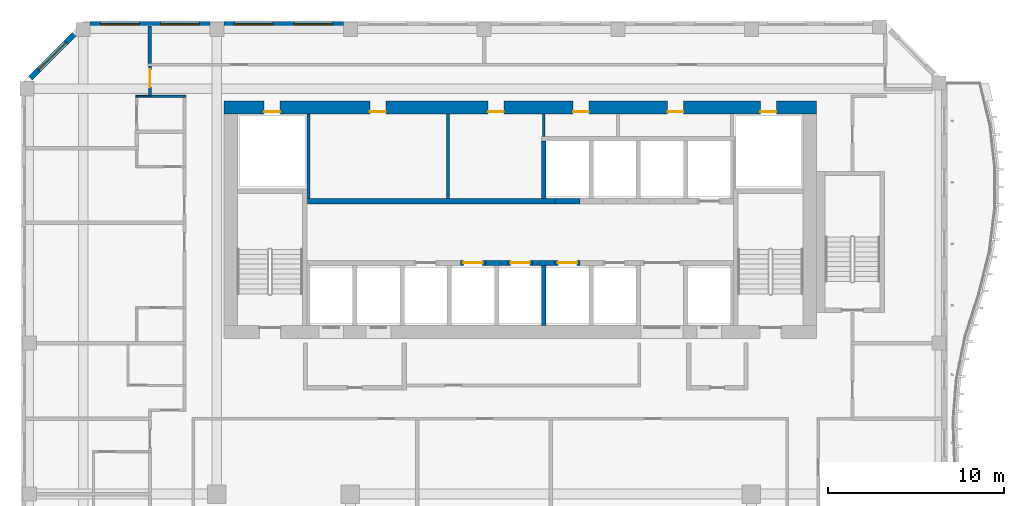
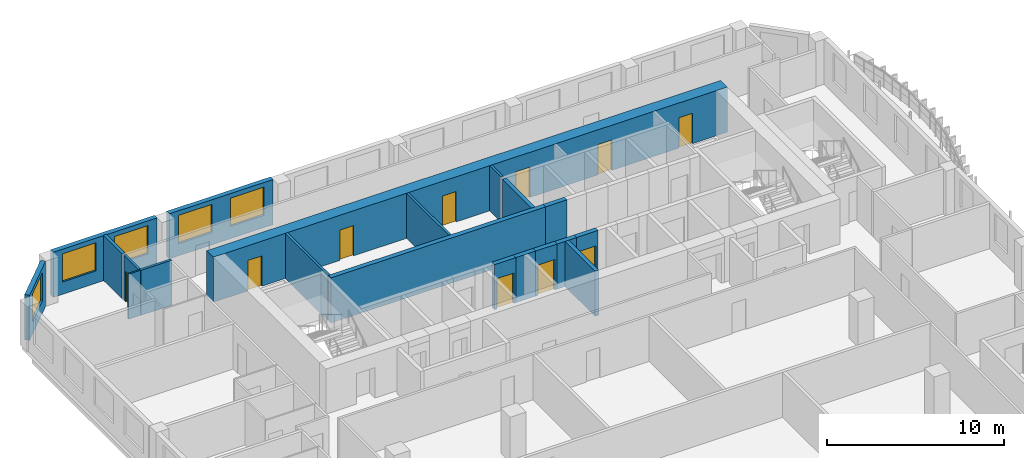
# One storey, part 8 of 22: 20 walls, 10 doors, 5 windows, 15 openings.
"""IFC4 building model written with IfcOpenShell, lengths in metres."""

from ifc_helpers import new_model, si_unit, direction, frame, frame_2d, origin, place, context, subcontext, project, spatial, rectangle, extrude, source, transform, mapped, material, layer, layer_set, type_object, element, fill, save


model = new_model("IFC4")

# Units and contexts
model_context = context("Model", 3, precision=1e-05, world=origin(), true_north=direction((0.0, 1.0)))
body_context = subcontext(model_context, "Body", "Model", "MODEL_VIEW")
ifc_project = project(units=[si_unit("LENGTHUNIT", "METRE"), si_unit("AREAUNIT", "SQUARE_METRE"), si_unit("VOLUMEUNIT", "CUBIC_METRE"), si_unit("PLANEANGLEUNIT", "RADIAN"), si_unit("MASSUNIT", "GRAM", prefix="KILO")], contexts=[model_context])

# Site, building, storey
site_placement = place(None, origin())
site = spatial("IfcSite", under=ifc_project, at=site_placement, CompositionType="ELEMENT")
building_placement = place(site_placement, origin())
building = spatial("IfcBuilding", under=site, at=building_placement, Name="Kilnfold Tower and Market Hall", CompositionType="ELEMENT")
storey_placement = place(building_placement, frame((0.0, 0.0, 188.89990234375)))
storey = spatial("IfcBuildingStorey", under=building, at=storey_placement, Name="L45", CompositionType="ELEMENT", Elevation=188.89990234375)

# Wall, opening, door
ifc_material_1 = material(Name="Gypsum board on steel studs", Category="steel")
ifc_layer_1 = layer(ifc_material_1, 0.14990234375)
ifc_layer_set_1 = layer_set([ifc_layer_1], Name="Gypsum board on steel studs")
wall_type_1 = type_object("IfcWallType", Name="WALL CORRIDOR 150", PredefinedType="PARTITIONING", material=ifc_layer_set_1)
wall_1_placement = place(storey_placement, frame((-19.958984375, 22.074951171875, 0.0), z_axis=(0.0, 0.0, 1.0), x_axis=(0.0, 1.0, 0.0)))
wall_1 = element("IfcWall", 1, at=wall_1_placement, inside=storey, type_object=wall_type_1, Name="Partition LY28.26", PredefinedType="PARTITIONING", context=body_context, shape_type="SweptSolid", body=[
    extrude(rectangle(XDim=1.650146484375, YDim=0.14990234375, at=frame_2d((0.8251953125, 0.0))), origin(), (0.0, 0.0, 1.0), 3.1201171875),
])
opening_1_placement = place(wall_1_placement, frame((0.449951171875, 0.0, 0.0)))
opening_1 = element("IfcOpeningElement", 2, at=opening_1_placement, cuts=wall_1, Name="Opening D1", PredefinedType="OPENING", context=body_context, shape_type="SweptSolid", body=[
    extrude(rectangle(XDim=1.0, YDim=2.10009765625, at=frame_2d((0.5, 1.050048828125))), frame((0.0, 0.0849609375, 0.0), z_axis=(0.0, -1.0, 0.0), x_axis=(1.0, 0.0, 0.0)), (0.0, 0.0, 1.0), 0.169921875),
])
ifc_material_2 = material(Name="Timber veneer door leaf in steel frame", Category="steel")
door_type_1 = type_object("IfcDoorType", Name="DOOR ENTRY 1000 X2100", OperationType="NOTDEFINED", PredefinedType="DOOR", material=ifc_material_2)
door_1_placement = place(opening_1_placement, origin())
door_1 = element("IfcDoor", 3, at=door_1_placement, inside=storey, type_object=door_type_1, Name="Door D1", OperationType="SINGLE_SWING_LEFT", OverallHeight=2.10009765625, OverallWidth=1.0, PredefinedType="DOOR", context=body_context, shape_type="SweptSolid", body=[
    extrude(rectangle(XDim=1.0, YDim=2.10009765625, at=frame_2d((0.5, 1.050048828125))), frame((0.0, 0.02490234375, 0.0), z_axis=(0.0, -1.0, 0.0), x_axis=(1.0, 0.0, 0.0)), (0.0, 0.0, 1.0), 0.050048828125),
])
fill(opening_1, door_1)

# Walls
wall_2_placement = place(storey_placement, frame((-19.958984375, 22.0, 0.0), z_axis=(0.0, 0.0, 1.0), x_axis=(1.0, 0.0, 0.0)))
element("IfcWall", 4, at=wall_2_placement, inside=storey, type_object=wall_type_1, Name="Partition LY28.28", PredefinedType="PARTITIONING", context=body_context, shape_type="SweptSolid", body=[
    extrude(rectangle(XDim=2.033935546875, YDim=0.14990234375, at=frame_2d((1.01708984375, 0.0))), origin(), (0.0, 0.0, 1.0), 3.1201171875),
])
ifc_material_3 = material(Name="Gypsum board on steel studs", Category="steel")
ifc_layer_2 = layer(ifc_material_3, 0.10009765625)
ifc_layer_set_2 = layer_set([ifc_layer_2], Name="Gypsum board on steel studs")
wall_type_2 = type_object("IfcWallType", Name="WALL PARTITION 100", PredefinedType="PARTITIONING", material=ifc_layer_set_2)
wall_3_placement = place(storey_placement, frame((-20.751953125, 22.0, 0.0), z_axis=(0.0, 0.0, 1.0), x_axis=(1.0, 0.0, 0.0)))
element("IfcWall", 5, at=wall_3_placement, inside=storey, type_object=wall_type_2, Name="Partition LY28.112", PredefinedType="PARTITIONING", context=body_context, shape_type="SweptSolid", body=[
    extrude(rectangle(XDim=0.791015625, YDim=0.10009765625, at=frame_2d((0.3955078125, 0.0))), origin(), (0.0, 0.0, 1.0), 3.1201171875),
])
ifc_material_4 = material(Name="Gypsum board on steel studs", Category="steel")
ifc_layer_3 = layer(ifc_material_4, 0.199951171875)
ifc_layer_set_3 = layer_set([ifc_layer_3], Name="Gypsum board on steel studs")
wall_type_3 = type_object("IfcWallType", Name="WALL PARTY 200", PredefinedType="PARTITIONING", material=ifc_layer_set_3)
wall_4_placement = place(storey_placement, frame((-19.958984375, 23.876953125, 0.0), z_axis=(0.0, 0.0, 1.0), x_axis=(0.0, 1.0, 0.0)))
element("IfcWall", 6, at=wall_4_placement, inside=storey, type_object=wall_type_3, Name="Partition LY28.114", PredefinedType="PARTITIONING", context=body_context, shape_type="SweptSolid", body=[
    extrude(rectangle(XDim=2.123046875, YDim=0.199951171875, at=frame_2d((1.0615234375, 0.0))), origin(), (0.0, 0.0, 1.0), 3.1201171875),
])
ifc_material_5 = material(Name="Concrete C60", Category="concrete")
ifc_layer_4 = layer(ifc_material_5, 0.300048828125)
ifc_layer_set_4 = layer_set([ifc_layer_4], Name="Concrete C60")
wall_type_4 = type_object("IfcWallType", Name="CORE WALL 300 C60", PredefinedType="SHEAR", material=ifc_layer_set_4)
shared_shape_1 = source(origin(), body_context, "Body", "SweptSolid", [
    extrude(rectangle(XDim=1.280029296875, YDim=0.300048828125, at=frame_2d((0.64013671875, 0.0))), origin(), (0.0, 0.0, 1.0), 3.1201171875),
])
for number, where, z_axis, x_axis, name in (
    (7, (-0.929931640625, 12.550048828125, 0.0), (0.0, 0.0, 1.0), (1.0, 0.0, 0.0), "Core spine wall"),
    (8, (1.75, 12.550048828125, 0.0), (0.0, 0.0, 1.0), (1.0, 0.0, 0.0), "Core spine wall"),
):
    element("IfcWall", number, at=place(storey_placement, frame(where, z_axis=z_axis, x_axis=x_axis)), inside=storey, type_object=wall_type_4, Name=name, PredefinedType="SHEAR", context=body_context, shape_type="MappedRepresentation", body=[
        mapped(shared_shape_1, transform((0.0, 0.0, 0.0))),
    ])
shared_shape_2 = source(origin(), body_context, "Body", "SweptSolid", [
    extrude(rectangle(XDim=14.0400390625, YDim=0.300048828125, at=frame_2d((7.02001953125, 0.0))), origin(), (0.0, 0.0, 1.0), 3.1201171875),
])
wall_5_placement = place(storey_placement, frame((-11.010009765625, 16.050048828125, 0.0), z_axis=(0.0, 0.0, 1.0), x_axis=(1.0, 0.0, 0.0)))
element("IfcWall", 9, at=wall_5_placement, inside=storey, type_object=wall_type_4, Name="Core spine wall", PredefinedType="SHEAR", context=body_context, shape_type="MappedRepresentation", body=[
    mapped(shared_shape_2, transform((0.0, 0.0, 0.0))),
])

# Wall, openings, doors
ifc_material_6 = material(Name="Concrete C60", Category="concrete")
ifc_layer_5 = layer(ifc_material_6, 0.75)
ifc_layer_set_5 = layer_set([ifc_layer_5], Name="Concrete C60")
wall_type_5 = type_object("IfcWallType", Name="CORE WALL 750 C60", PredefinedType="SHEAR", material=ifc_layer_set_5)
shared_shape_3 = source(origin(), body_context, "Body", "SweptSolid", [
    extrude(rectangle(XDim=33.60009765625, YDim=0.75, at=frame_2d((16.800048828125, 0.0))), origin(), (0.0, 0.0, 1.0), 3.1201171875),
])
wall_6_placement = place(storey_placement, frame((-15.75, 21.375, 0.0), z_axis=(0.0, 0.0, 1.0), x_axis=(1.0, 0.0, 0.0)))
wall_6 = element("IfcWall", 10, at=wall_6_placement, inside=storey, type_object=wall_type_5, Name="Core outer wall north", PredefinedType="SHEAR", context=body_context, shape_type="MappedRepresentation", body=[
    mapped(shared_shape_3, transform((0.0, 0.0, 0.0))),
])
opening_2_placement = place(wall_6_placement, frame((8.269775390625, 0.0, 0.0)))
opening_2 = element("IfcOpeningElement", 11, at=opening_2_placement, cuts=wall_6, Name="Opening KD1", PredefinedType="OPENING", context=body_context, shape_type="SweptSolid", body=[
    extrude(rectangle(XDim=0.89990234375, YDim=2.10009765625, at=frame_2d((0.449951171875, 1.050048828125))), frame((0.0, 0.385009765625, 0.0), z_axis=(0.0, -1.0, 0.0), x_axis=(1.0, 0.0, 0.0)), (0.0, 0.0, 1.0), 0.77001953125),
])
opening_3_placement = place(wall_6_placement, frame((14.9697265625, 0.0, 0.0)))
opening_3 = element("IfcOpeningElement", 12, at=opening_3_placement, cuts=wall_6, Name="Opening KD1", PredefinedType="OPENING", context=body_context, shape_type="SweptSolid", body=[
    extrude(rectangle(XDim=0.89990234375, YDim=2.10009765625, at=frame_2d((0.449951171875, 1.050048828125))), frame((0.0, 0.385009765625, 0.0), z_axis=(0.0, -1.0, 0.0), x_axis=(1.0, 0.0, 0.0)), (0.0, 0.0, 1.0), 0.77001953125),
])
opening_4_placement = place(wall_6_placement, frame((19.793701171875, 0.0, 0.0)))
opening_4 = element("IfcOpeningElement", 13, at=opening_4_placement, cuts=wall_6, Name="Opening KD1", PredefinedType="OPENING", context=body_context, shape_type="SweptSolid", body=[
    extrude(rectangle(XDim=0.89990234375, YDim=2.10009765625, at=frame_2d((0.449951171875, 1.050048828125))), frame((0.0, 0.385009765625, 0.0), z_axis=(0.0, -1.0, 0.0), x_axis=(1.0, 0.0, 0.0)), (0.0, 0.0, 1.0), 0.77001953125),
])
opening_5_placement = place(wall_6_placement, frame((25.15380859375, 0.0, 0.0)))
opening_5 = element("IfcOpeningElement", 14, at=opening_5_placement, cuts=wall_6, Name="Opening KD1", PredefinedType="OPENING", context=body_context, shape_type="SweptSolid", body=[
    extrude(rectangle(XDim=0.89990234375, YDim=2.10009765625, at=frame_2d((0.449951171875, 1.050048828125))), frame((0.0, 0.385009765625, 0.0), z_axis=(0.0, -1.0, 0.0), x_axis=(1.0, 0.0, 0.0)), (0.0, 0.0, 1.0), 0.77001953125),
])
opening_6_placement = place(wall_6_placement, frame((2.27490234375, 0.0, 0.0)))
opening_6 = element("IfcOpeningElement", 15, at=opening_6_placement, cuts=wall_6, Name="Opening KD1", PredefinedType="OPENING", context=body_context, shape_type="SweptSolid", body=[
    extrude(rectangle(XDim=0.89990234375, YDim=2.10009765625, at=frame_2d((0.449951171875, 1.050048828125))), frame((0.0, 0.385009765625, 0.0), z_axis=(0.0, -1.0, 0.0), x_axis=(1.0, 0.0, 0.0)), (0.0, 0.0, 1.0), 0.77001953125),
])
opening_7_placement = place(wall_6_placement, frame((30.425048828125, 0.0, 0.0)))
opening_7 = element("IfcOpeningElement", 16, at=opening_7_placement, cuts=wall_6, Name="Opening KD1", PredefinedType="OPENING", context=body_context, shape_type="SweptSolid", body=[
    extrude(rectangle(XDim=0.89990234375, YDim=2.10009765625, at=frame_2d((0.449951171875, 1.050048828125))), frame((0.0, 0.385009765625, 0.0), z_axis=(0.0, -1.0, 0.0), x_axis=(1.0, 0.0, 0.0)), (0.0, 0.0, 1.0), 0.77001953125),
])
ifc_material_7 = material(Name="Steel door set with fire-resisting leaf", Category="steel")
door_type_2 = type_object("IfcDoorType", Name="SERVICE DOOR 900X2100", OperationType="NOTDEFINED", PredefinedType="DOOR", material=ifc_material_7)
door_2_placement = place(opening_2_placement, origin())
door_2 = element("IfcDoor", 17, at=door_2_placement, inside=storey, type_object=door_type_2, Name="Core service door", OperationType="SINGLE_SWING_RIGHT", OverallHeight=2.10009765625, OverallWidth=0.89990234375, PredefinedType="DOOR", context=body_context, shape_type="SweptSolid", body=[
    extrude(rectangle(XDim=0.89990234375, YDim=2.10009765625, at=frame_2d((0.449951171875, 1.050048828125))), frame((0.0, -0.22998046875, 0.0), z_axis=(0.0, -1.0, 0.0), x_axis=(1.0, 0.0, 0.0)), (0.0, 0.0, 1.0), 0.050048828125),
])
fill(opening_2, door_2)
door_3_placement = place(opening_3_placement, origin())
door_3 = element("IfcDoor", 18, at=door_3_placement, inside=storey, type_object=door_type_2, Name="Core service door", OperationType="SINGLE_SWING_LEFT", OverallHeight=2.10009765625, OverallWidth=0.89990234375, PredefinedType="DOOR", context=body_context, shape_type="SweptSolid", body=[
    extrude(rectangle(XDim=0.89990234375, YDim=2.10009765625, at=frame_2d((0.449951171875, 1.050048828125))), frame((0.0, -0.22998046875, 0.0), z_axis=(0.0, -1.0, 0.0), x_axis=(1.0, 0.0, 0.0)), (0.0, 0.0, 1.0), 0.050048828125),
])
fill(opening_3, door_3)
door_4_placement = place(opening_4_placement, origin())
door_4 = element("IfcDoor", 19, at=door_4_placement, inside=storey, type_object=door_type_2, Name="Core service door", OperationType="SINGLE_SWING_RIGHT", OverallHeight=2.10009765625, OverallWidth=0.89990234375, PredefinedType="DOOR", context=body_context, shape_type="SweptSolid", body=[
    extrude(rectangle(XDim=0.89990234375, YDim=2.10009765625, at=frame_2d((0.449951171875, 1.050048828125))), frame((0.0, -0.22998046875, 0.0), z_axis=(0.0, -1.0, 0.0), x_axis=(1.0, 0.0, 0.0)), (0.0, 0.0, 1.0), 0.050048828125),
])
fill(opening_4, door_4)
door_5_placement = place(opening_5_placement, origin())
door_5 = element("IfcDoor", 20, at=door_5_placement, inside=storey, type_object=door_type_2, Name="Core service door", OperationType="SINGLE_SWING_LEFT", OverallHeight=2.10009765625, OverallWidth=0.89990234375, PredefinedType="DOOR", context=body_context, shape_type="SweptSolid", body=[
    extrude(rectangle(XDim=0.89990234375, YDim=2.10009765625, at=frame_2d((0.449951171875, 1.050048828125))), frame((0.0, -0.22998046875, 0.0), z_axis=(0.0, -1.0, 0.0), x_axis=(1.0, 0.0, 0.0)), (0.0, 0.0, 1.0), 0.050048828125),
])
fill(opening_5, door_5)
door_6_placement = place(opening_6_placement, origin())
door_6 = element("IfcDoor", 21, at=door_6_placement, inside=storey, type_object=door_type_2, Name="Electrical riser access door", OperationType="SINGLE_SWING_RIGHT", OverallHeight=2.10009765625, OverallWidth=0.89990234375, PredefinedType="DOOR", context=body_context, shape_type="SweptSolid", body=[
    extrude(rectangle(XDim=0.89990234375, YDim=2.10009765625, at=frame_2d((0.449951171875, 1.050048828125))), frame((0.0, -0.22998046875, 0.0), z_axis=(0.0, -1.0, 0.0), x_axis=(1.0, 0.0, 0.0)), (0.0, 0.0, 1.0), 0.050048828125),
])
fill(opening_6, door_6)
door_7_placement = place(opening_7_placement, origin())
door_7 = element("IfcDoor", 22, at=door_7_placement, inside=storey, type_object=door_type_2, Name="Mechanical riser access door", OperationType="SINGLE_SWING_LEFT", OverallHeight=2.10009765625, OverallWidth=0.89990234375, PredefinedType="DOOR", context=body_context, shape_type="SweptSolid", body=[
    extrude(rectangle(XDim=0.89990234375, YDim=2.10009765625, at=frame_2d((0.449951171875, 1.050048828125))), frame((0.0, -0.22998046875, 0.0), z_axis=(0.0, -1.0, 0.0), x_axis=(1.0, 0.0, 0.0)), (0.0, 0.0, 1.0), 0.050048828125),
])
fill(opening_7, door_7)

# Wall, openings, windows
ifc_material_8 = material(Name="Precast concrete C50/60", Category="concrete")
ifc_layer_6 = layer(ifc_material_8, 0.300048828125)
ifc_layer_set_6 = layer_set([ifc_layer_6], Name="Precast concrete C50/60")
wall_type_6 = type_object("IfcWallType", Name="PRECAST WALL 300", PredefinedType="SOLIDWALL", material=ifc_layer_set_6)
shared_shape_4 = source(origin(), body_context, "Body", "SweptSolid", [
    extrude(rectangle(XDim=6.783447265625, YDim=0.300048828125, at=frame_2d((3.3916015625, 0.0))), origin(), (0.0, 0.0, 1.0), 3.1201171875),
])
wall_7_placement = place(storey_placement, frame((-16.566650390625, 26.10009765625, 0.0), z_axis=(0.0, 0.0, 1.0), x_axis=(-1.0, 0.0, 0.0)))
wall_7 = element("IfcWall", 23, at=wall_7_placement, inside=storey, type_object=wall_type_6, Name="External wall L45 N", PredefinedType="SOLIDWALL", context=body_context, shape_type="MappedRepresentation", body=[
    mapped(shared_shape_4, transform((0.0, 0.0, 0.0))),
])
opening_8_placement = place(wall_7_placement, frame((0.595703125, 0.0, 0.85009765625)))
opening_8 = element("IfcOpeningElement", 24, at=opening_8_placement, cuts=wall_7, Name="Opening W2", PredefinedType="OPENING", context=body_context, shape_type="SweptSolid", body=[
    extrude(rectangle(XDim=2.199951171875, YDim=1.949951171875, at=frame_2d((1.10009765625, 0.97509765625))), frame((0.0, 0.16015625, 0.0), z_axis=(0.0, -1.0, 0.0), x_axis=(1.0, 0.0, 0.0)), (0.0, 0.0, 1.0), 0.320068359375),
])
opening_9_placement = place(wall_7_placement, frame((3.987548828125, 0.0, 0.85009765625)))
opening_9 = element("IfcOpeningElement", 25, at=opening_9_placement, cuts=wall_7, Name="Opening W2", PredefinedType="OPENING", context=body_context, shape_type="SweptSolid", body=[
    extrude(rectangle(XDim=2.199951171875, YDim=1.949951171875, at=frame_2d((1.10009765625, 0.97509765625))), frame((0.0, 0.16015625, 0.0), z_axis=(0.0, -1.0, 0.0), x_axis=(1.0, 0.0, 0.0)), (0.0, 0.0, 1.0), 0.320068359375),
])
ifc_material_9 = material(Name="Aluminium frame and double glazing", Category="aluminium")
window_type = type_object("IfcWindowType", Name="WINDOW W2 2200X1950", PartitioningType="SINGLE_PANEL", PredefinedType="WINDOW", material=ifc_material_9)
window_1_placement = place(opening_8_placement, origin())
window_1 = element("IfcWindow", 26, at=window_1_placement, inside=storey, type_object=window_type, Name="Window W2 L45 N-1", OverallHeight=1.949951171875, OverallWidth=2.199951171875, PartitioningType="SINGLE_PANEL", PredefinedType="WINDOW", context=body_context, shape_type="SweptSolid", body=[
    extrude(rectangle(XDim=2.199951171875, YDim=1.949951171875, at=frame_2d((1.10009765625, 0.97509765625))), frame((0.0, 0.030029296875, 0.0), z_axis=(0.0, -1.0, 0.0), x_axis=(1.0, 0.0, 0.0)), (0.0, 0.0, 1.0), 0.06005859375),
])
fill(opening_8, window_1)
window_2_placement = place(opening_9_placement, origin())
window_2 = element("IfcWindow", 27, at=window_2_placement, inside=storey, type_object=window_type, Name="Window W2 L45 N-2", OverallHeight=1.949951171875, OverallWidth=2.199951171875, PartitioningType="SINGLE_PANEL", PredefinedType="WINDOW", context=body_context, shape_type="SweptSolid", body=[
    extrude(rectangle(XDim=2.199951171875, YDim=1.949951171875, at=frame_2d((1.10009765625, 0.97509765625))), frame((0.0, 0.030029296875, 0.0), z_axis=(0.0, -1.0, 0.0), x_axis=(1.0, 0.0, 0.0)), (0.0, 0.0, 1.0), 0.06005859375),
])
fill(opening_9, window_2)

shared_shape_5 = source(origin(), body_context, "Body", "SweptSolid", [
    extrude(rectangle(XDim=6.783203125, YDim=0.300048828125, at=frame_2d((3.3916015625, 0.0))), origin(), (0.0, 0.0, 1.0), 3.1201171875),
])
wall_8_placement = place(storey_placement, frame((-8.9833984375, 26.10009765625, 0.0), z_axis=(0.0, 0.0, 1.0), x_axis=(-1.0, 0.0, 0.0)))
wall_8 = element("IfcWall", 28, at=wall_8_placement, inside=storey, type_object=wall_type_6, Name="External wall L45 N", PredefinedType="SOLIDWALL", context=body_context, shape_type="MappedRepresentation", body=[
    mapped(shared_shape_5, transform((0.0, 0.0, 0.0))),
])
opening_10_placement = place(wall_8_placement, frame((0.595703125, 0.0, 0.85009765625)))
opening_10 = element("IfcOpeningElement", 29, at=opening_10_placement, cuts=wall_8, Name="Opening W2", PredefinedType="OPENING", context=body_context, shape_type="SweptSolid", body=[
    extrude(rectangle(XDim=2.199951171875, YDim=1.949951171875, at=frame_2d((1.10009765625, 0.97509765625))), frame((0.0, 0.16015625, 0.0), z_axis=(0.0, -1.0, 0.0), x_axis=(1.0, 0.0, 0.0)), (0.0, 0.0, 1.0), 0.320068359375),
])
opening_11_placement = place(wall_8_placement, frame((3.987548828125, 0.0, 0.85009765625)))
opening_11 = element("IfcOpeningElement", 30, at=opening_11_placement, cuts=wall_8, Name="Opening W2", PredefinedType="OPENING", context=body_context, shape_type="SweptSolid", body=[
    extrude(rectangle(XDim=2.199951171875, YDim=1.949951171875, at=frame_2d((1.10009765625, 0.97509765625))), frame((0.0, 0.16015625, 0.0), z_axis=(0.0, -1.0, 0.0), x_axis=(1.0, 0.0, 0.0)), (0.0, 0.0, 1.0), 0.320068359375),
])
window_3_placement = place(opening_10_placement, origin())
window_3 = element("IfcWindow", 31, at=window_3_placement, inside=storey, type_object=window_type, Name="Window W2 L45 N-1", OverallHeight=1.949951171875, OverallWidth=2.199951171875, PartitioningType="SINGLE_PANEL", PredefinedType="WINDOW", context=body_context, shape_type="SweptSolid", body=[
    extrude(rectangle(XDim=2.199951171875, YDim=1.949951171875, at=frame_2d((1.10009765625, 0.97509765625))), frame((0.0, 0.030029296875, 0.0), z_axis=(0.0, -1.0, 0.0), x_axis=(1.0, 0.0, 0.0)), (0.0, 0.0, 1.0), 0.06005859375),
])
fill(opening_10, window_3)
window_4_placement = place(opening_11_placement, origin())
window_4 = element("IfcWindow", 32, at=window_4_placement, inside=storey, type_object=window_type, Name="Window W2 L45 N-2", OverallHeight=1.949951171875, OverallWidth=2.199951171875, PartitioningType="SINGLE_PANEL", PredefinedType="WINDOW", context=body_context, shape_type="SweptSolid", body=[
    extrude(rectangle(XDim=2.199951171875, YDim=1.949951171875, at=frame_2d((1.10009765625, 0.97509765625))), frame((0.0, 0.030029296875, 0.0), z_axis=(0.0, -1.0, 0.0), x_axis=(1.0, 0.0, 0.0)), (0.0, 0.0, 1.0), 0.06005859375),
])
fill(opening_11, window_4)

# Wall, opening, window
shared_shape_6 = source(origin(), body_context, "Body", "SweptSolid", [
    extrude(rectangle(XDim=3.500244140625, YDim=0.300048828125, at=frame_2d((1.75, 0.0))), origin(), (0.0, 0.0, 1.0), 3.1201171875),
])
wall_9_placement = place(storey_placement, frame((-24.268798828125, 25.518798828125, 0.0), z_axis=(0.0, 0.0, 1.0), x_axis=(-0.707141656123, -0.70707190453, 0.0)))
wall_9 = element("IfcWall", 33, at=wall_9_placement, inside=storey, type_object=wall_type_6, Name="External wall L45 NW", PredefinedType="SOLIDWALL", context=body_context, shape_type="MappedRepresentation", body=[
    mapped(shared_shape_6, transform((0.0, 0.0, 0.0))),
])
opening_12_placement = place(wall_9_placement, frame((0.650146484375, 0.0, 0.85009765625)))
opening_12 = element("IfcOpeningElement", 34, at=opening_12_placement, cuts=wall_9, Name="Opening W2", PredefinedType="OPENING", context=body_context, shape_type="SweptSolid", body=[
    extrude(rectangle(XDim=2.199951171875, YDim=1.949951171875, at=frame_2d((1.10009765625, 0.97509765625))), frame((0.0, 0.16015625, 0.0), z_axis=(0.0, -1.0, 0.0), x_axis=(1.0, 0.0, 0.0)), (0.0, 0.0, 1.0), 0.320068359375),
])
window_5_placement = place(opening_12_placement, origin())
window_5 = element("IfcWindow", 35, at=window_5_placement, inside=storey, type_object=window_type, Name="Window W2 L45 NW-1", OverallHeight=1.949951171875, OverallWidth=2.199951171875, PartitioningType="SINGLE_PANEL", PredefinedType="WINDOW", context=body_context, shape_type="SweptSolid", body=[
    extrude(rectangle(XDim=2.199951171875, YDim=1.949951171875, at=frame_2d((1.10009765625, 0.97509765625))), frame((0.0, 0.030029296875, 0.0), z_axis=(0.0, -1.0, 0.0), x_axis=(1.0, 0.0, 0.0)), (0.0, 0.0, 1.0), 0.06005859375),
])
fill(opening_12, window_5)

# Wall, opening, door
ifc_material_10 = material(Name="Gypsum shaft wall system")
ifc_layer_7 = layer(ifc_material_10, 0.300048828125)
ifc_layer_set_7 = layer_set([ifc_layer_7], Name="Gypsum shaft wall system")
wall_type_7 = type_object("IfcWallType", Name="SHAFT WALL 300", PredefinedType="PARTITIONING", material=ifc_layer_set_7)
shared_shape_7 = source(origin(), body_context, "Body", "SweptSolid", [
    extrude(rectangle(XDim=1.39990234375, YDim=0.300048828125, at=frame_2d((0.699951171875, 0.0))), origin(), (0.0, 0.0, 1.0), 3.1201171875),
])
wall_10_placement = place(storey_placement, frame((0.35009765625, 12.550048828125, 0.0), z_axis=(0.0, 0.0, 1.0), x_axis=(1.0, 0.0, 0.0)))
wall_10 = element("IfcWall", 36, at=wall_10_placement, inside=storey, type_object=wall_type_7, Name="Lift shaft front wall", PredefinedType="PARTITIONING", context=body_context, shape_type="MappedRepresentation", body=[
    mapped(shared_shape_7, transform((0.0, 0.0, 0.0))),
])
opening_13_placement = place(wall_10_placement, frame((0.14990234375, 0.0, 0.0)))
opening_13 = element("IfcOpeningElement", 37, at=opening_13_placement, cuts=wall_10, Name="Opening LD2", PredefinedType="OPENING", context=body_context, shape_type="SweptSolid", body=[
    extrude(rectangle(XDim=1.10009765625, YDim=2.10009765625, at=frame_2d((0.550048828125, 1.050048828125))), frame((0.0, 0.16015625, 0.0), z_axis=(0.0, -1.0, 0.0), x_axis=(1.0, 0.0, 0.0)), (0.0, 0.0, 1.0), 0.320068359375),
])
ifc_material_11 = material(Name="Steel door set with fire-resisting leaf", Category="steel")
door_type_3 = type_object("IfcDoorType", Name="LANDING DOOR 1100X2100", OperationType="NOTDEFINED", PredefinedType="DOOR", material=ifc_material_11)
door_8_placement = place(opening_13_placement, origin())
door_8 = element("IfcDoor", 38, at=door_8_placement, inside=storey, type_object=door_type_3, Name="Landing door MR3", OperationType="DOUBLE_DOOR_SLIDING", OverallHeight=2.10009765625, OverallWidth=1.10009765625, PredefinedType="DOOR", context=body_context, shape_type="SweptSolid", body=[
    extrude(rectangle(XDim=1.10009765625, YDim=2.10009765625, at=frame_2d((0.550048828125, 1.050048828125))), frame((0.0, 0.02490234375, 0.0), z_axis=(0.0, -1.0, 0.0), x_axis=(1.0, 0.0, 0.0)), (0.0, 0.0, 1.0), 0.050048828125),
])
fill(opening_13, door_8)

wall_11_placement = place(storey_placement, frame((3.030029296875, 12.550048828125, 0.0), z_axis=(0.0, 0.0, 1.0), x_axis=(1.0, 0.0, 0.0)))
wall_11 = element("IfcWall", 39, at=wall_11_placement, inside=storey, type_object=wall_type_7, Name="Lift shaft front wall", PredefinedType="PARTITIONING", context=body_context, shape_type="MappedRepresentation", body=[
    mapped(shared_shape_7, transform((0.0, 0.0, 0.0))),
])
opening_14_placement = place(wall_11_placement, frame((0.14990234375, 0.0, 0.0)))
opening_14 = element("IfcOpeningElement", 40, at=opening_14_placement, cuts=wall_11, Name="Opening LD2", PredefinedType="OPENING", context=body_context, shape_type="SweptSolid", body=[
    extrude(rectangle(XDim=1.10009765625, YDim=2.10009765625, at=frame_2d((0.550048828125, 1.050048828125))), frame((0.0, 0.16015625, 0.0), z_axis=(0.0, -1.0, 0.0), x_axis=(1.0, 0.0, 0.0)), (0.0, 0.0, 1.0), 0.320068359375),
])
door_9_placement = place(opening_14_placement, origin())
door_9 = element("IfcDoor", 41, at=door_9_placement, inside=storey, type_object=door_type_3, Name="Landing door MR4", OperationType="DOUBLE_DOOR_SLIDING", OverallHeight=2.10009765625, OverallWidth=1.10009765625, PredefinedType="DOOR", context=body_context, shape_type="SweptSolid", body=[
    extrude(rectangle(XDim=1.10009765625, YDim=2.10009765625, at=frame_2d((0.550048828125, 1.050048828125))), frame((0.0, 0.02490234375, 0.0), z_axis=(0.0, -1.0, 0.0), x_axis=(1.0, 0.0, 0.0)), (0.0, 0.0, 1.0), 0.050048828125),
])
fill(opening_14, door_9)

# Wall
wall_12_placement = place(storey_placement, frame((3.030029296875, 16.050048828125, 0.0), z_axis=(0.0, 0.0, 1.0), x_axis=(1.0, 0.0, 0.0)))
element("IfcWall", 42, at=wall_12_placement, inside=storey, type_object=wall_type_7, Name="Lift shaft front wall", PredefinedType="PARTITIONING", context=body_context, shape_type="MappedRepresentation", body=[
    mapped(shared_shape_7, transform((0.0, 0.0, 0.0))),
])

# Wall, opening, door
shared_shape_8 = source(origin(), body_context, "Body", "SweptSolid", [
    extrude(rectangle(XDim=1.400146484375, YDim=0.300048828125, at=frame_2d((0.7001953125, 0.0))), origin(), (0.0, 0.0, 1.0), 3.1201171875),
])
wall_13_placement = place(storey_placement, frame((-2.330078125, 12.550048828125, 0.0), z_axis=(0.0, 0.0, 1.0), x_axis=(1.0, 0.0, 0.0)))
wall_13 = element("IfcWall", 43, at=wall_13_placement, inside=storey, type_object=wall_type_7, Name="Lift shaft front wall", PredefinedType="PARTITIONING", context=body_context, shape_type="MappedRepresentation", body=[
    mapped(shared_shape_8, transform((0.0, 0.0, 0.0))),
])
opening_15_placement = place(wall_13_placement, frame((0.14990234375, 0.0, 0.0)))
opening_15 = element("IfcOpeningElement", 44, at=opening_15_placement, cuts=wall_13, Name="Opening LD2", PredefinedType="OPENING", context=body_context, shape_type="SweptSolid", body=[
    extrude(rectangle(XDim=1.10009765625, YDim=2.10009765625, at=frame_2d((0.550048828125, 1.050048828125))), frame((0.0, 0.16015625, 0.0), z_axis=(0.0, -1.0, 0.0), x_axis=(1.0, 0.0, 0.0)), (0.0, 0.0, 1.0), 0.320068359375),
])
door_10_placement = place(opening_15_placement, origin())
door_10 = element("IfcDoor", 45, at=door_10_placement, inside=storey, type_object=door_type_3, Name="Landing door MR2", OperationType="DOUBLE_DOOR_SLIDING", OverallHeight=2.10009765625, OverallWidth=1.10009765625, PredefinedType="DOOR", context=body_context, shape_type="SweptSolid", body=[
    extrude(rectangle(XDim=1.10009765625, YDim=2.10009765625, at=frame_2d((0.550048828125, 1.050048828125))), frame((0.0, 0.02490234375, 0.0), z_axis=(0.0, -1.0, 0.0), x_axis=(1.0, 0.0, 0.0)), (0.0, 0.0, 1.0), 0.050048828125),
])
fill(opening_15, door_10)

# Walls
ifc_material_12 = material(Name="Gypsum shaft wall system")
ifc_layer_8 = layer(ifc_material_12, 0.1650390625)
ifc_layer_set_8 = layer_set([ifc_layer_8], Name="Gypsum shaft wall system")
wall_type_8 = type_object("IfcWallType", Name="SHAFT WALL 165", PredefinedType="PARTITIONING", material=ifc_layer_set_8)
shared_shape_9 = source(origin(), body_context, "Body", "SweptSolid", [
    extrude(rectangle(XDim=4.800048828125, YDim=0.1650390625, at=frame_2d((2.39990234375, 0.0))), origin(), (0.0, 0.0, 1.0), 3.1201171875),
])
wall_14_placement = place(storey_placement, frame((-10.967529296875, 16.199951171875, 0.0), z_axis=(0.0, 0.0, 1.0), x_axis=(0.0, 1.0, 0.0)))
element("IfcWall", 46, at=wall_14_placement, inside=storey, type_object=wall_type_8, Name="Lift shaft wall", PredefinedType="PARTITIONING", context=body_context, shape_type="MappedRepresentation", body=[
    mapped(shared_shape_9, transform((0.0, 0.0, 0.0))),
])
ifc_material_13 = material(Name="Gypsum shaft wall system")
ifc_layer_9 = layer(ifc_material_13, 0.25)
ifc_layer_set_9 = layer_set([ifc_layer_9], Name="Gypsum shaft wall system")
wall_type_9 = type_object("IfcWallType", Name="SHAFT WALL 250", PredefinedType="PARTITIONING", material=ifc_layer_set_9)
shared_shape_10 = source(origin(), body_context, "Body", "SweptSolid", [
    extrude(rectangle(XDim=3.275146484375, YDim=0.25, at=frame_2d((1.6376953125, 0.0))), origin(), (0.0, 0.0, 1.0), 3.1201171875),
])
wall_15_placement = place(storey_placement, frame((2.389892578125, 16.199951171875, 0.0), z_axis=(0.0, 0.0, 1.0), x_axis=(0.0, 1.0, 0.0)))
element("IfcWall", 47, at=wall_15_placement, inside=storey, type_object=wall_type_9, Name="Lift shaft wall", PredefinedType="PARTITIONING", context=body_context, shape_type="MappedRepresentation", body=[
    mapped(shared_shape_10, transform((0.0, 0.0, 0.0))),
])
shared_shape_11 = source(origin(), body_context, "Body", "SweptSolid", [
    extrude(rectangle(XDim=3.39990234375, YDim=0.25, at=frame_2d((1.699951171875, 0.0))), origin(), (0.0, 0.0, 1.0), 3.1201171875),
])
wall_16_placement = place(storey_placement, frame((2.389892578125, 9.0, 0.0), z_axis=(0.0, 0.0, 1.0), x_axis=(0.0, 1.0, 0.0)))
element("IfcWall", 48, at=wall_16_placement, inside=storey, type_object=wall_type_9, Name="Lift shaft wall", PredefinedType="PARTITIONING", context=body_context, shape_type="MappedRepresentation", body=[
    mapped(shared_shape_11, transform((0.0, 0.0, 0.0))),
])
ifc_material_14 = material(Name="Gypsum shaft wall system")
ifc_layer_10 = layer(ifc_material_14, 0.14990234375)
ifc_layer_set_10 = layer_set([ifc_layer_10], Name="Gypsum shaft wall system")
wall_type_10 = type_object("IfcWallType", Name="ROOM WALL 150", PredefinedType="PARTITIONING", material=ifc_layer_set_10)
shared_shape_12 = source(origin(), body_context, "Body", "SweptSolid", [
    extrude(rectangle(XDim=4.800048828125, YDim=0.14990234375, at=frame_2d((2.39990234375, 0.0))), origin(), (0.0, 0.0, 1.0), 3.1201171875),
])
wall_17_placement = place(storey_placement, frame((-3.05029296875, 16.199951171875, 0.0), z_axis=(0.0, 0.0, 1.0), x_axis=(0.0, 1.0, 0.0)))
element("IfcWall", 49, at=wall_17_placement, inside=storey, type_object=wall_type_10, Name="Core room wall", PredefinedType="PARTITIONING", context=body_context, shape_type="MappedRepresentation", body=[
    mapped(shared_shape_12, transform((0.0, 0.0, 0.0))),
])
shared_shape_13 = source(origin(), body_context, "Body", "SweptSolid", [
    extrude(rectangle(XDim=1.27490234375, YDim=0.14990234375, at=frame_2d((0.637451171875, 0.0))), origin(), (0.0, 0.0, 1.0), 3.1201171875),
])
wall_18_placement = place(storey_placement, frame((2.389892578125, 19.72509765625, 0.0), z_axis=(0.0, 0.0, 1.0), x_axis=(0.0, 1.0, 0.0)))
element("IfcWall", 50, at=wall_18_placement, inside=storey, type_object=wall_type_10, Name="Core room wall", PredefinedType="PARTITIONING", context=body_context, shape_type="MappedRepresentation", body=[
    mapped(shared_shape_13, transform((0.0, 0.0, 0.0))),
])

save(model, "model.ifc")
